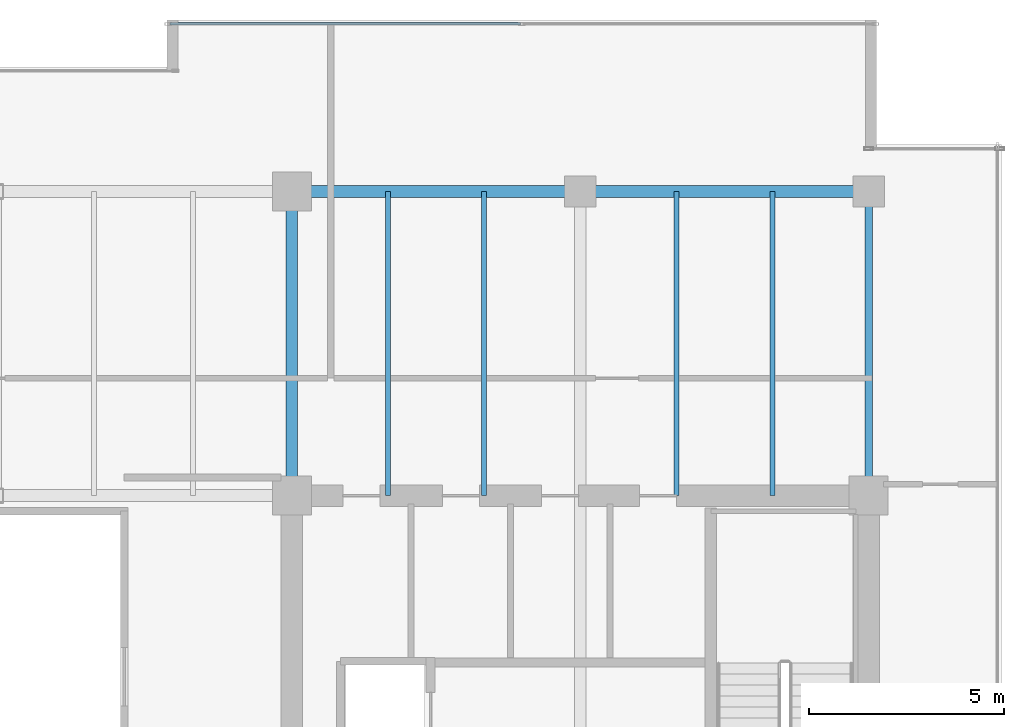
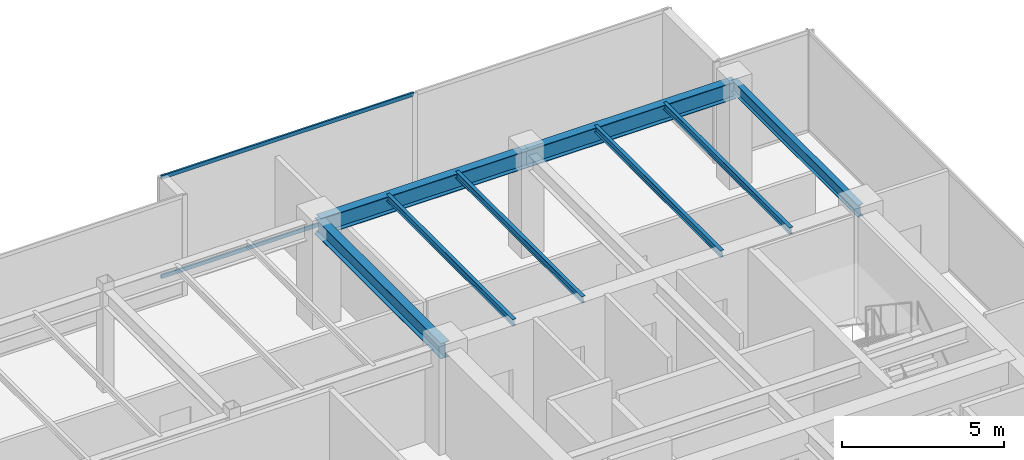
# One storey, part 20 of 33: 8 beams, 2 members, 1 element without a shape of its own.
"""IFC4 building model written with IfcOpenShell, lengths in metres."""

from ifc_helpers import new_model, si_unit, direction, frame, origin, origin_2d, place, context, subcontext, project, spatial, hollow_rectangle, i_section, extrude, source, transform, mapped, material, layer, layer_set, material_profile, profile_set, type_object, type_shapes, element, aggregate, save


model = new_model("IFC4")

# Units and contexts
model_context = context("Model", 3, precision=1e-05, world=origin(), true_north=direction((0.0, 1.0)))
body_context = subcontext(model_context, "Body", "Model", "MODEL_VIEW")
ifc_project = project(units=[si_unit("LENGTHUNIT", "METRE"), si_unit("AREAUNIT", "SQUARE_METRE"), si_unit("VOLUMEUNIT", "CUBIC_METRE"), si_unit("PLANEANGLEUNIT", "RADIAN"), si_unit("MASSUNIT", "GRAM", prefix="KILO")], contexts=[model_context])

# Site, building, storey
site_placement = place(None, origin())
site = spatial("IfcSite", under=ifc_project, at=site_placement, CompositionType="ELEMENT")
building_placement = place(site_placement, origin())
building = spatial("IfcBuilding", under=site, at=building_placement, Name="Haelvirn Gate Laboratories", CompositionType="ELEMENT")
storey_placement = place(building_placement, frame((0.0, 0.0, 258.800048828125)))
storey = spatial("IfcBuildingStorey", under=building, at=storey_placement, Name="L62", CompositionType="ELEMENT", Elevation=258.800048828125)

# Beams
ifc_material_1 = material(Name="Steel SM355", Category="steel")
ifc_material_profile_1 = material_profile(ifc_material_1, i_section(OverallWidth=0.300048828125, OverallDepth=0.587890625, WebThickness=0.011962890625, FlangeThickness=0.02001953125, at=origin_2d()), Name="H-588x300x12x20")
ifc_profile_set_1 = profile_set([ifc_material_profile_1], Name="Steel SM355")
beam_type_1 = type_object("IfcBeamType", Name="BM-G-588", PredefinedType="BEAM", material=ifc_profile_set_1)
shared_shape_1 = source(origin(), body_context, "Body", "SweptSolid", [
    extrude(i_section(OverallWidth=0.300048828125, OverallDepth=0.587890625, WebThickness=0.011962890625, FlangeThickness=0.02001953125, at=origin_2d()), origin(), (0.0, 0.0, 1.0), 7.800048828125),
])
type_shapes(beam_type_1, [shared_shape_1])
beam_1_placement = place(storey_placement, frame((52.60009765625, 33.800048828125, 3.505859375), z_axis=(0.0, 1.0, 0.0), x_axis=(-1.0, 0.0, 0.0)))
element("IfcBeam", 1, at=beam_1_placement, inside=storey, type_object=beam_type_1, Name="L62 Frame Girder X52.6 (33.8-41.6)", PredefinedType="BEAM", context=body_context, shape_type="MappedRepresentation", body=[
    mapped(shared_shape_1, transform((0.0, 0.0, 0.0), scale=1.0)),
])
ifc_material_profile_2 = material_profile(ifc_material_1, i_section(OverallWidth=0.300048828125, OverallDepth=0.64990234375, WebThickness=0.012939453125, FlangeThickness=0.02197265625, at=origin_2d()), Name="H-650x300x13x22")
ifc_profile_set_2 = profile_set([ifc_material_profile_2], Name="Steel SM355")
beam_type_2 = type_object("IfcBeamType", Name="BM-G-650", PredefinedType="BEAM", material=ifc_profile_set_2)
shared_shape_2 = source(origin(), body_context, "Body", "SweptSolid", [
    extrude(i_section(OverallWidth=0.300048828125, OverallDepth=0.64990234375, WebThickness=0.012939453125, FlangeThickness=0.02197265625, at=origin_2d()), origin(), (0.0, 0.0, 1.0), 7.39990234375),
])
type_shapes(beam_type_2, [shared_shape_2])
for number, where, z_axis, x_axis, name in (
    (2, (52.60009765625, 41.60009765625, 3.474853515625), (1.0, 0.0, 0.0), (0.0, 1.0, 0.0), "L62 Primary Girder Y41.6 (52.6-60.0)"),
    (3, (60.0, 41.60009765625, 3.474853515625), (1.0, 0.0, 0.0), (0.0, 1.0, 0.0), "L62 Primary Girder Y41.6 (60.0-67.4)"),
):
    element("IfcBeam", number, at=place(storey_placement, frame(where, z_axis=z_axis, x_axis=x_axis)), inside=storey, type_object=beam_type_2, Name=name, PredefinedType="BEAM", context=body_context, shape_type="MappedRepresentation", body=[
        mapped(shared_shape_2, transform((0.0, 0.0, 0.0), scale=1.0)),
    ])
ifc_material_profile_3 = material_profile(ifc_material_1, i_section(OverallWidth=0.199951171875, OverallDepth=0.449951171875, WebThickness=0.009033203125, FlangeThickness=0.013916015625, at=origin_2d()), Name="H-450x200x9x14")
ifc_profile_set_3 = profile_set([ifc_material_profile_3], Name="Steel SM355")
beam_type_3 = type_object("IfcBeamType", Name="BM-SP-450", PredefinedType="SPANDREL", material=ifc_profile_set_3)
shared_shape_3 = source(origin(), body_context, "Body", "SweptSolid", [
    extrude(i_section(OverallWidth=0.199951171875, OverallDepth=0.449951171875, WebThickness=0.009033203125, FlangeThickness=0.013916015625, at=origin_2d()), origin(), (0.0, 0.0, 1.0), 7.800048828125),
])
type_shapes(beam_type_3, [shared_shape_3])
beam_2_placement = place(storey_placement, frame((67.39990234375, 33.800048828125, 3.574951171875), z_axis=(0.0, 1.0, 0.0), x_axis=(-1.0, 0.0, 0.0)))
element("IfcBeam", 4, at=beam_2_placement, inside=storey, type_object=beam_type_3, Name="L62 Perimeter Spandrel X67.4 (33.8-41.6)", PredefinedType="SPANDREL", context=body_context, shape_type="MappedRepresentation", body=[
    mapped(shared_shape_3, transform((0.0, 0.0, 0.0), scale=1.0)),
])
ifc_material_profile_4 = material_profile(ifc_material_1, i_section(OverallWidth=0.125, OverallDepth=0.25, WebThickness=0.006103515625, FlangeThickness=0.009033203125, at=origin_2d()), Name="H-250x125x6x9")
ifc_profile_set_4 = profile_set([ifc_material_profile_4], Name="Steel SM355")
beam_type_4 = type_object("IfcBeamType", Name="BM-J-250", PredefinedType="JOIST", material=ifc_profile_set_4)
shared_shape_4 = source(origin(), body_context, "Body", "SweptSolid", [
    extrude(i_section(OverallWidth=0.125, OverallDepth=0.25, WebThickness=0.006103515625, FlangeThickness=0.009033203125, at=origin_2d()), origin(), (0.0, 0.0, 1.0), 7.800048828125),
])
type_shapes(beam_type_4, [shared_shape_4])
for number, where, z_axis, x_axis, name in (
    (5, (55.070068359375, 33.800048828125, 3.675048828125), (0.0, 1.0, 0.0), (-1.0, 0.0, 0.0), "L62 Composite Lab Joist North X55.07"),
    (6, (57.530029296875, 33.800048828125, 3.675048828125), (0.0, 1.0, 0.0), (-1.0, 0.0, 0.0), "L62 Composite Lab Joist North X57.53"),
    (7, (62.469970703125, 33.800048828125, 3.675048828125), (0.0, 1.0, 0.0), (-1.0, 0.0, 0.0), "L62 Composite Lab Joist North X62.47"),
    (8, (64.929931640625, 33.800048828125, 3.675048828125), (0.0, 1.0, 0.0), (-1.0, 0.0, 0.0), "L62 Composite Lab Joist North X64.93"),
):
    element("IfcBeam", number, at=place(storey_placement, frame(where, z_axis=z_axis, x_axis=x_axis)), inside=storey, type_object=beam_type_4, Name=name, PredefinedType="JOIST", context=body_context, shape_type="MappedRepresentation", body=[
        mapped(shared_shape_4, transform((0.0, 0.0, 0.0), scale=1.0)),
    ])

# Curtain wall, members
ifc_material_2 = material(Name="Anodised bronze unitised aluminium & triple low-E glass", Category="aluminium")
ifc_layer = layer(ifc_material_2, 0.176025390625, Name="CW-SYS-4")
ifc_layer_set = layer_set([ifc_layer], Name="Anodised bronze unitised aluminium & triple low-E glass")
curtain_wall_type = type_object("IfcCurtainWallType", Name="CW-SYS-4", PredefinedType="NOTDEFINED", material=ifc_layer_set)
curtain_wall_placement = place(storey_placement, origin())
curtain_wall = element("IfcCurtainWall", 9, at=curtain_wall_placement, inside=storey, type_object=curtain_wall_type, Name="L62 Unitised Curtain Wall CW-L62-P0-E10-1", PredefinedType="NOTDEFINED")
ifc_material_3 = material(Name="Extruded aluminium 6063-T6 (anodised bronze)", Category="aluminium")
ifc_material_profile_5 = material_profile(ifc_material_3, hollow_rectangle(XDim=0.06494140625, YDim=0.139892578125, WallThickness=0.00390625, at=origin_2d()), Name="CWT-140x65x4")
ifc_profile_set_5 = profile_set([ifc_material_profile_5], Name="Extruded aluminium 6063-T6 (anodised bronze)")
member_type = type_object("IfcMemberType", Name="CWT-T140", PredefinedType="USERDEFINED", material=ifc_profile_set_5)
shared_shape_5 = source(origin(), body_context, "Body", "SweptSolid", [
    extrude(hollow_rectangle(XDim=0.06494140625, YDim=0.139892578125, WallThickness=0.00390625, at=origin_2d()), origin(), (0.0, 0.0, 1.0), 8.9951171875),
])
type_shapes(member_type, [shared_shape_5])
member_1_placement = place(storey_placement, frame((49.469970703125, 45.89990234375, 0.032470703125), z_axis=(1.0, 0.0, 0.0), x_axis=(0.0, 1.0, 0.0)))
member_1 = element("IfcMember", 10, at=member_1_placement, type_object=member_type, Name="CW4 transom 1.1", ObjectType="TRANSOM", PredefinedType="USERDEFINED", context=body_context, shape_type="MappedRepresentation", body=[
    mapped(shared_shape_5, transform((0.0, 0.0, 0.0), scale=1.0)),
])
member_2_placement = place(storey_placement, frame((49.469970703125, 45.89990234375, 3.767333984375), z_axis=(1.0, 0.0, 0.0), x_axis=(0.0, 1.0, 0.0)))
member_2 = element("IfcMember", 11, at=member_2_placement, type_object=member_type, Name="CW4 transom 1.2", ObjectType="TRANSOM", PredefinedType="USERDEFINED", context=body_context, shape_type="MappedRepresentation", body=[
    mapped(shared_shape_5, transform((0.0, 0.0, 0.0), scale=1.0)),
])
aggregate(curtain_wall, [member_1, member_2])

save(model, "model.ifc")
